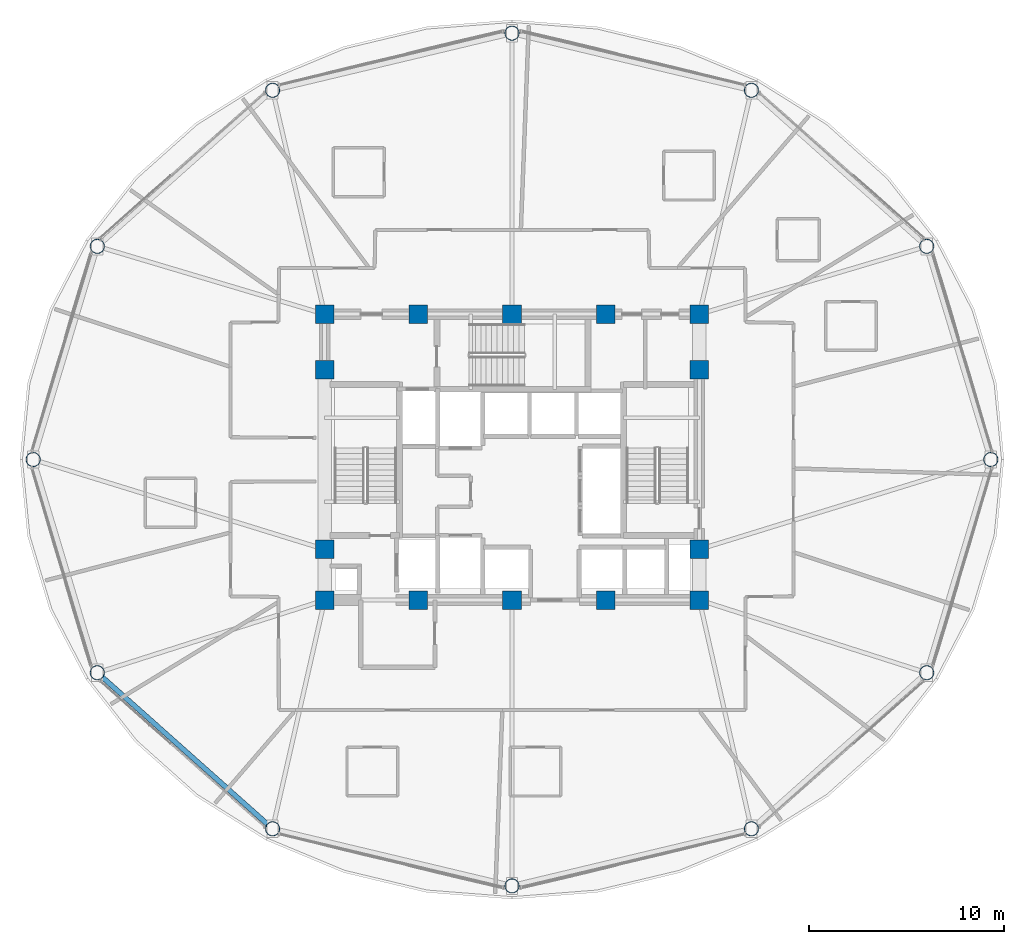
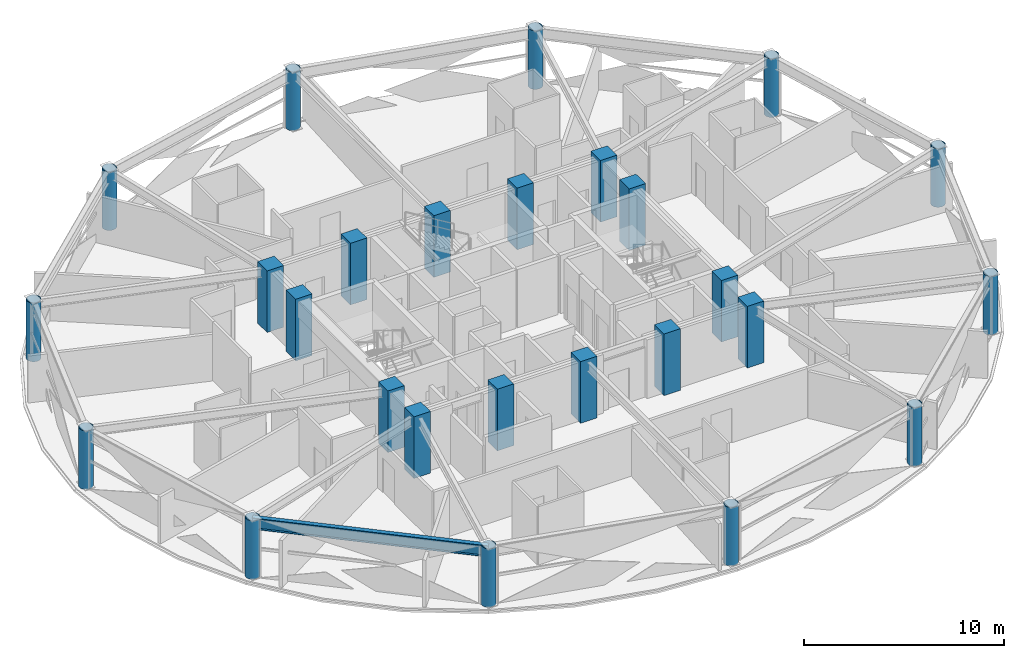
# One storey, part 1 of 29: 26 columns, 1 beam.
"""IFC4 building model written with IfcOpenShell, lengths in metres."""

from ifc_helpers import new_model, si_unit, direction, frame, origin, origin_2d, place, context, subcontext, project, spatial, rectangle, hollow_circle, i_section, extrude, material, material_profile, profile_set, type_object, element, save


model = new_model("IFC4")

# Units and contexts
model_context = context("Model", 3, precision=1e-05, world=origin(), true_north=direction((0.0, 1.0)))
body_context = subcontext(model_context, "Body", "Model", "MODEL_VIEW")
ifc_project = project(units=[si_unit("LENGTHUNIT", "METRE"), si_unit("AREAUNIT", "SQUARE_METRE"), si_unit("VOLUMEUNIT", "CUBIC_METRE"), si_unit("PLANEANGLEUNIT", "RADIAN"), si_unit("MASSUNIT", "GRAM", prefix="KILO")], contexts=[model_context])

# Site, building, storey
site_placement = place(None, origin())
site = spatial("IfcSite", under=ifc_project, at=site_placement, CompositionType="ELEMENT")
building_placement = place(site_placement, origin())
building = spatial("IfcBuilding", under=site, at=building_placement, Name="Vantalir Tower", CompositionType="ELEMENT")
storey_placement = place(building_placement, frame((0.0, 0.0, 168.449951171875)))
storey = spatial("IfcBuildingStorey", under=building, at=storey_placement, Name="L42", CompositionType="ELEMENT", Elevation=168.449951171875)

# Columns
ifc_material_1 = material(Name="Concrete C60/75", Category="concrete")
ifc_material_profile_1 = material_profile(ifc_material_1, rectangle(XDim=0.949951171875, YDim=0.949951171875, at=origin_2d()), Name="Concrete C60/75")
ifc_profile_set_1 = profile_set([ifc_material_profile_1], Name="Concrete C60/75")
column_type_1 = type_object("IfcColumnType", Name="COL-CC-950", PredefinedType="COLUMN", material=ifc_profile_set_1)
for number, where, z_axis, x_axis, name in (
    (1, (21.89990234375, 17.800048828125, 0.0), (0.0, 0.0, 1.0), (1.0, 0.0, 0.0), "L42 Core Column CC01"),
    (2, (26.699951171875, 17.800048828125, 0.0), (0.0, 0.0, 1.0), (1.0, 0.0, 0.0), "L42 Core Column CC02"),
    (3, (31.5, 17.800048828125, 0.0), (0.0, 0.0, 1.0), (1.0, 0.0, 0.0), "L42 Core Column CC03"),
    (4, (36.300048828125, 17.800048828125, 0.0), (0.0, 0.0, 1.0), (1.0, 0.0, 0.0), "L42 Core Column CC04"),
    (5, (41.10009765625, 17.800048828125, 0.0), (0.0, 0.0, 1.0), (1.0, 0.0, 0.0), "L42 Core Column CC05"),
    (6, (21.89990234375, 20.39990234375, 0.0), (0.0, 0.0, 1.0), (1.0, 0.0, 0.0), "L42 Core Column CC06"),
    (7, (21.89990234375, 29.60009765625, 0.0), (0.0, 0.0, 1.0), (1.0, 0.0, 0.0), "L42 Core Column CC07"),
    (8, (41.10009765625, 20.39990234375, 0.0), (0.0, 0.0, 1.0), (1.0, 0.0, 0.0), "L42 Core Column CC08"),
    (9, (41.10009765625, 29.60009765625, 0.0), (0.0, 0.0, 1.0), (1.0, 0.0, 0.0), "L42 Core Column CC09"),
    (10, (21.89990234375, 32.449951171875, 0.0), (0.0, 0.0, 1.0), (1.0, 0.0, 0.0), "L42 Core Column CC10"),
    (11, (26.699951171875, 32.449951171875, 0.0), (0.0, 0.0, 1.0), (1.0, 0.0, 0.0), "L42 Core Column CC11"),
    (12, (31.5, 32.449951171875, 0.0), (0.0, 0.0, 1.0), (1.0, 0.0, 0.0), "L42 Core Column CC12"),
    (13, (36.300048828125, 32.449951171875, 0.0), (0.0, 0.0, 1.0), (1.0, 0.0, 0.0), "L42 Core Column CC13"),
    (14, (41.10009765625, 32.449951171875, 0.0), (0.0, 0.0, 1.0), (1.0, 0.0, 0.0), "L42 Core Column CC14"),
):
    element("IfcColumn", number, at=place(storey_placement, frame(where, z_axis=z_axis, x_axis=x_axis)), inside=storey, type_object=column_type_1, Name=name, PredefinedType="COLUMN", context=body_context, shape_type="SweptSolid", body=[
        extrude(rectangle(XDim=0.949951171875, YDim=0.949951171875, at=origin_2d()), origin(), (0.0, 0.0, 1.0), 3.75),
    ])
ifc_material_2 = material(Name="Steel S460", Category="steel")
ifc_material_profile_2 = material_profile(ifc_material_2, hollow_circle(Radius=0.375, WallThickness=0.034912109375, at=origin_2d()), Name="Steel S460")
ifc_profile_set_2 = profile_set([ifc_material_profile_2], Name="Steel S460")
column_type_2 = type_object("IfcColumnType", Name="COL-RC-750", PredefinedType="COLUMN", material=ifc_profile_set_2)
for number, where, z_axis, x_axis, name in (
    (15, (56.035888671875, 25.0, 0.0), (0.0, 0.0, 1.0), (1.0, 0.0, 0.0), "L42 Perimeter Ring Column RC01"),
    (16, (52.7490234375, 35.924072265625, 0.0), (0.0, 0.0, 1.0), (1.0, 0.0, 0.0), "L42 Perimeter Ring Column RC02"),
    (17, (43.76806640625, 43.9208984375, 0.0), (0.0, 0.0, 1.0), (1.0, 0.0, 0.0), "L42 Perimeter Ring Column RC03"),
    (18, (31.5, 46.847900390625, 0.0), (0.0, 0.0, 1.0), (1.0, 0.0, 0.0), "L42 Perimeter Ring Column RC04"),
    (19, (19.23193359375, 43.9208984375, 0.0), (0.0, 0.0, 1.0), (1.0, 0.0, 0.0), "L42 Perimeter Ring Column RC05"),
    (20, (10.2509765625, 35.924072265625, 0.0), (0.0, 0.0, 1.0), (1.0, 0.0, 0.0), "L42 Perimeter Ring Column RC06"),
    (21, (6.964111328125, 25.0, 0.0), (0.0, 0.0, 1.0), (1.0, 0.0, 0.0), "L42 Perimeter Ring Column RC07"),
    (22, (10.2509765625, 14.075927734375, 0.0), (0.0, 0.0, 1.0), (1.0, 0.0, 0.0), "L42 Perimeter Ring Column RC08"),
    (23, (19.23193359375, 6.0791015625, 0.0), (0.0, 0.0, 1.0), (1.0, 0.0, 0.0), "L42 Perimeter Ring Column RC09"),
    (24, (31.5, 3.152099609375, 0.0), (0.0, 0.0, 1.0), (1.0, 0.0, 0.0), "L42 Perimeter Ring Column RC10"),
    (25, (43.76806640625, 6.0791015625, 0.0), (0.0, 0.0, 1.0), (1.0, 0.0, 0.0), "L42 Perimeter Ring Column RC11"),
    (26, (52.7490234375, 14.075927734375, 0.0), (0.0, 0.0, 1.0), (1.0, 0.0, 0.0), "L42 Perimeter Ring Column RC12"),
):
    element("IfcColumn", number, at=place(storey_placement, frame(where, z_axis=z_axis, x_axis=x_axis)), inside=storey, type_object=column_type_2, Name=name, PredefinedType="COLUMN", context=body_context, shape_type="SweptSolid", body=[
        extrude(hollow_circle(Radius=0.375, WallThickness=0.034912109375, at=origin_2d()), origin(), (0.0, 0.0, 1.0), 3.570068359375),
    ])

# Beam
ifc_material_profile_3 = material_profile(ifc_material_2, i_section(OverallWidth=0.256103515625, OverallDepth=0.693115234375, WebThickness=0.014404296875, FlangeThickness=0.023681640625, at=origin_2d()), Name="Steel S460")
ifc_profile_set_3 = profile_set([ifc_material_profile_3], Name="Steel S460")
beam_type = type_object("IfcBeamType", Name="BM-RG-686x254", PredefinedType="USERDEFINED", material=ifc_profile_set_3)
beam_placement = place(storey_placement, frame((10.2509765625, 14.075927734375, 3.22412109375), z_axis=(0.746841140724, -0.66500248911, 0.0), x_axis=(0.66500248911, 0.746841140724, 0.0)))
element("IfcBeam", 27, at=beam_placement, inside=storey, type_object=beam_type, Name="L42 Circumferential Ring Girder 08", ObjectType="GIRDER", PredefinedType="USERDEFINED", context=body_context, shape_type="SweptSolid", body=[
    extrude(i_section(OverallWidth=0.256103515625, OverallDepth=0.693115234375, WebThickness=0.014404296875, FlangeThickness=0.023681640625, at=origin_2d()), origin(), (0.0, 0.0, 1.0), 12.025146484375),
])

save(model, "model.ifc")
